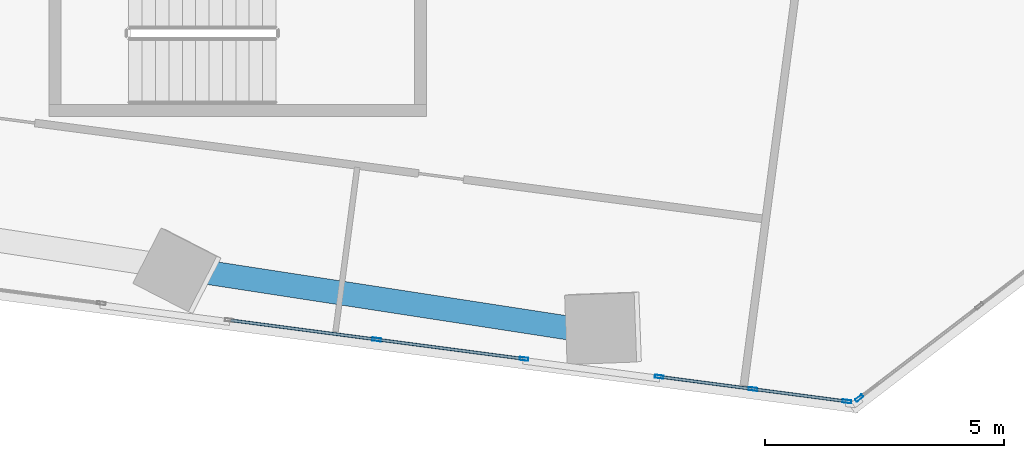
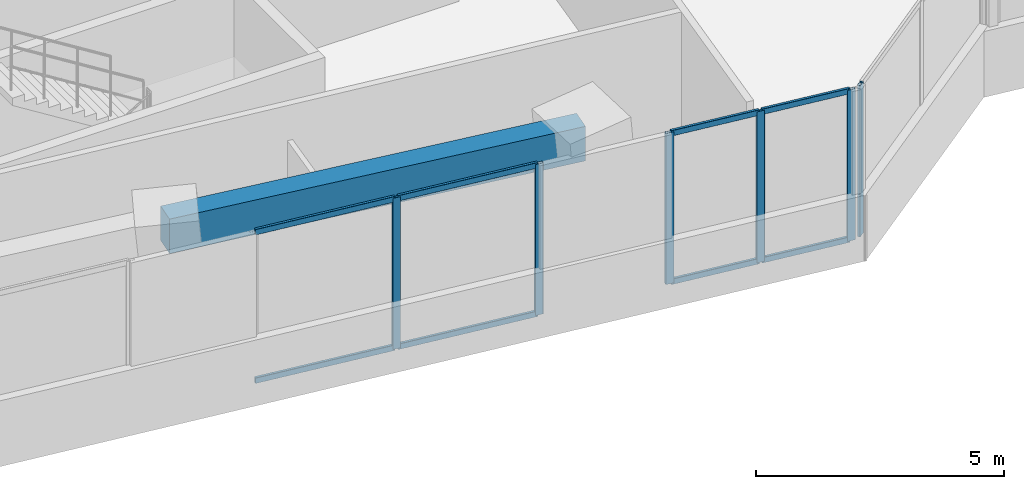
# One storey, part 5 of 24: 14 members, 1 beam, 3 elements without a shape of their own.
"""IFC4 building model written with IfcOpenShell, lengths in metres."""

import ifcopenshell
import ifcopenshell.guid

model = None  # the IFC model being written
_history = None  # IfcOwnerHistory: only IFC2X3 demands one
_inside = {}  # id of a spatial element -> (the spatial element, [elements in it])
_under = {}  # id of a project, library or spatial element -> (it, [spatial elements below it])
_declared = {}  # id of a project -> (the project, [libraries it declares])
_typed = {}  # id of a type object -> (the type object, [elements of that type])
_made_of = {}  # id of a material, layer set ... -> (it, [elements and type objects made of it])


def new_model(schema):
    """Start an empty IFC model of exactly this schema.

    Asked for "IFC4X3", IfcOpenShell would pick the latest addendum, in which some entities
    have other attributes; the version numbers below select the first issue.
    IFC2X3 requires an IfcOwnerHistory on every rooted entity: one is made here for all.
    """
    global model, _history
    if schema == "IFC4X3":
        model = ifcopenshell.file(schema_version=(4, 3, 0, 0))
    else:
        model = ifcopenshell.file(schema=schema)
    _inside.clear()
    _under.clear()
    _declared.clear()
    _typed.clear()
    _made_of.clear()
    _history = None
    if model.schema == "IFC2X3":
        org = make("IfcOrganization", Name="unknown")
        user = make(
            "IfcPersonAndOrganization",
            ThePerson=make("IfcPerson", FamilyName="unknown"),
            TheOrganization=org,
        )
        app = make(
            "IfcApplication",
            ApplicationDeveloper=org,
            Version="unknown",
            ApplicationFullName="unknown",
            ApplicationIdentifier="unknown",
        )
        _history = make(
            "IfcOwnerHistory",
            OwningUser=user,
            OwningApplication=app,
            ChangeAction="ADDED",
            CreationDate=0,
        )
    return model


def make(cls, **values):
    """One entity of the class cls with the attributes given. An attribute that is None is left unset."""
    return model.create_entity(
        cls, **{name: value for name, value in values.items() if value is not None}
    )


def rooted(cls, **values):
    """An entity with a GlobalId (a new one), such as an element, a storey or a relation."""
    return make(cls, GlobalId=ifcopenshell.guid.new(), OwnerHistory=_history, **values)


def si_unit(unit_type, name, prefix=None):
    """IfcSIUnit, for example si_unit("LENGTHUNIT", "METRE", prefix="MILLI")."""
    return make("IfcSIUnit", UnitType=unit_type, Prefix=prefix, Name=name)


def assignment(units):
    """IfcUnitAssignment: the units of a project."""
    return None if units is None else make("IfcUnitAssignment", Units=units)


def point(xyz):
    """IfcCartesianPoint."""
    return None if xyz is None else make("IfcCartesianPoint", Coordinates=xyz)


def direction(xyz):
    """IfcDirection."""
    return None if xyz is None else make("IfcDirection", DirectionRatios=xyz)


def frame(location, z_axis=None, x_axis=None):
    """IfcAxis2Placement3D, a coordinate frame: its origin and axes. An axis left out is left unset."""
    return make(
        "IfcAxis2Placement3D",
        Location=point(location),
        Axis=direction(z_axis),
        RefDirection=direction(x_axis),
    )


def frame_2d(location, x_axis=None):
    """IfcAxis2Placement2D, a coordinate frame in the plane: its origin and x axis."""
    return make(
        "IfcAxis2Placement2D", Location=point(location), RefDirection=direction(x_axis)
    )


def origin():
    """The frame at (0, 0, 0) with its axes left unset."""
    return frame((0.0, 0.0, 0.0))


def origin_2d():
    """The frame at (0, 0) in the plane with its x axis left unset."""
    return frame_2d((0.0, 0.0))


def place(relative_to, where):
    """IfcLocalPlacement: puts the frame where relative to a parent placement (None: the world)."""
    return make(
        "IfcLocalPlacement", PlacementRelTo=relative_to, RelativePlacement=where
    )


def context(
    kind, dimensions, precision=None, world=None, true_north=None, identifier=None
):
    """IfcGeometricRepresentationContext, for example the 3D "Model" context."""
    return make(
        "IfcGeometricRepresentationContext",
        ContextIdentifier=identifier,
        ContextType=kind,
        CoordinateSpaceDimension=dimensions,
        Precision=precision,
        WorldCoordinateSystem=world,
        TrueNorth=true_north,
    )


def subcontext(parent, identifier, kind, view, scale=None):
    """IfcGeometricRepresentationSubContext, for example "Body" below "Model"."""
    return make(
        "IfcGeometricRepresentationSubContext",
        ContextIdentifier=identifier,
        ContextType=kind,
        ParentContext=parent,
        TargetScale=scale,
        TargetView=view,
    )


def project(units=None, contexts=None):
    """IfcProject with its units and contexts."""
    return rooted(
        "IfcProject",
        Name="project",
        RepresentationContexts=contexts,
        UnitsInContext=assignment(units),
    )


def spatial(cls, under=None, at=None, **own):
    """A site, building, storey or space (cls), placed at a placement, below another one or the project."""
    s = rooted(cls, ObjectPlacement=at, **own)
    if under is not None:
        _under.setdefault(under.id(), (under, []))[1].append(s)
    return s


def profile(cls, at=None, kind="AREA", **sizes):
    """A parametric profile (cls). Its sizes go by their IFC names, for example OverallWidth=200.0."""
    return make(cls, ProfileType=kind, Position=at, **sizes)


def rectangle(**sizes):
    """IfcRectangleProfileDef."""
    return profile("IfcRectangleProfileDef", **sizes)


def hollow_rectangle(**sizes):
    """IfcRectangleHollowProfileDef."""
    return profile("IfcRectangleHollowProfileDef", **sizes)


def extrude(swept, where, along, depth):
    """IfcExtrudedAreaSolid: the profile swept, set in the frame where, extruded along a direction by depth."""
    return make(
        "IfcExtrudedAreaSolid",
        SweptArea=swept,
        Position=where,
        ExtrudedDirection=direction(along),
        Depth=depth,
    )


def shape(context_of_items, identifier, shape_type, items):
    """IfcShapeRepresentation: the items that make up one representation, for example the "Body"."""
    return make(
        "IfcShapeRepresentation",
        ContextOfItems=context_of_items,
        RepresentationIdentifier=identifier,
        RepresentationType=shape_type,
        Items=items,
    )


def source(mapping_origin, context_of_items, identifier, shape_type, items):
    """IfcRepresentationMap: a shape defined once, which mapped items show again and again."""
    return make(
        "IfcRepresentationMap",
        MappingOrigin=mapping_origin,
        MappedRepresentation=shape(context_of_items, identifier, shape_type, items),
    )


def transform(
    local_origin,
    x_axis=None,
    y_axis=None,
    z_axis=None,
    scale=None,
    scale2=None,
    scale3=None,
    uniform=True,
):
    """IfcCartesianTransformationOperator3D, or its non-uniform kind. x_axis, y_axis, z_axis: its Axis1, 2, 3."""
    if uniform:
        return make(
            "IfcCartesianTransformationOperator3D",
            Axis1=direction(x_axis),
            Axis2=direction(y_axis),
            LocalOrigin=point(local_origin),
            Scale=scale,
            Axis3=direction(z_axis),
        )
    return make(
        "IfcCartesianTransformationOperator3DnonUniform",
        Axis1=direction(x_axis),
        Axis2=direction(y_axis),
        LocalOrigin=point(local_origin),
        Scale=scale,
        Axis3=direction(z_axis),
        Scale2=scale2,
        Scale3=scale3,
    )


def mapped(mapping_source, mapping_target):
    """IfcMappedItem: shows the shape of a source again, moved by a transform."""
    return make(
        "IfcMappedItem", MappingSource=mapping_source, MappingTarget=mapping_target
    )


def material(Name=None, Category=None):
    """IfcMaterial."""
    return make("IfcMaterial", Name=Name, Category=Category)


def material_profile(
    of_material, cross_section, Name=None, Category=None, Priority=None
):
    """IfcMaterialProfile: a cross section and its material."""
    return make(
        "IfcMaterialProfile",
        Name=Name,
        Material=of_material,
        Profile=cross_section,
        Priority=Priority,
        Category=Category,
    )


def profile_set(profiles, Name=None, composite=None):
    """IfcMaterialProfileSet."""
    return make(
        "IfcMaterialProfileSet",
        Name=Name,
        MaterialProfiles=profiles,
        CompositeProfile=composite,
    )


def made_of(thing, what):
    """Note that an element or type object is made of a material, layer set ...; save() writes the relation."""
    if what is not None:
        _made_of.setdefault(what.id(), (what, []))[1].append(thing)
    return thing


def type_object(cls, material=None, **own):
    """A type object (cls), such as IfcWallType, which elements share."""
    return made_of(rooted(cls, **own), material)


def element(
    cls,
    number,
    at=None,
    inside=None,
    cuts=None,
    type_object=None,
    material=None,
    context=None,
    identifier="Body",
    shape_type=None,
    held_by="IfcProductDefinitionShape",
    body=None,
    shapes=None,
    **own,
):
    """One element of the class cls, such as IfcWall. Its Tag is "e" and its number.

    at: its placement. inside: the storey or other place that contains it. cuts: it is an
    opening in that element (IfcRelVoidsElement). A single representation is given by context,
    identifier, shape_type and body (its items); several are given by shapes. held_by: the class
    of the entity that holds the representations. save() writes the other relations.
    """
    e = rooted(cls, Tag="e%d" % number, ObjectPlacement=at, **own)
    if body is not None:
        shapes = [shape(context, identifier, shape_type, body)]
    if shapes is not None:
        e.Representation = make(held_by, Representations=shapes)
    if inside is not None:
        _inside.setdefault(inside.id(), (inside, []))[1].append(e)
    if cuts is not None:
        rooted(
            "IfcRelVoidsElement", RelatingBuildingElement=cuts, RelatedOpeningElement=e
        )
    if type_object is not None:
        _typed.setdefault(type_object.id(), (type_object, []))[1].append(e)
    return made_of(e, material)


def aggregate(whole, parts):
    """IfcRelAggregates: a whole, such as a stair, and the parts it consists of."""
    return rooted("IfcRelAggregates", RelatingObject=whole, RelatedObjects=parts)


def save(model, path):
    """Write the relations noted so far, then the file.

    IfcRelAggregates (storeys below a building ...), IfcRelContainedInSpatialStructure (elements
    in a storey), IfcRelDefinesByType, IfcRelAssociatesMaterial and IfcRelDeclares: one each for
    every whole, place, type object, material and project.
    """
    for whole, parts in _under.values():
        aggregate(whole, parts)
    for where, things in _inside.values():
        rooted(
            "IfcRelContainedInSpatialStructure",
            RelatedElements=things,
            RelatingStructure=where,
        )
    for kind, things in _typed.values():
        rooted("IfcRelDefinesByType", RelatedObjects=things, RelatingType=kind)
    for what, things in _made_of.values():
        rooted("IfcRelAssociatesMaterial", RelatedObjects=things, RelatingMaterial=what)
    for by, libraries in _declared.values():
        rooted("IfcRelDeclares", RelatingContext=by, RelatedDefinitions=libraries)
    model.write(path)


model = new_model("IFC4")

# Units and contexts
model_context = context("Model", 3, precision=1e-05, world=origin(), true_north=direction((0.0, 1.0)))
body_context = subcontext(model_context, "Body", "Model", "MODEL_VIEW")
ifc_project = project(units=[si_unit("LENGTHUNIT", "METRE"), si_unit("AREAUNIT", "SQUARE_METRE"), si_unit("VOLUMEUNIT", "CUBIC_METRE"), si_unit("PLANEANGLEUNIT", "RADIAN"), si_unit("MASSUNIT", "GRAM", prefix="KILO")], contexts=[model_context])

# Site, building, storey
site_placement = place(None, origin())
site = spatial("IfcSite", under=ifc_project, at=site_placement, CompositionType="ELEMENT")
building_placement = place(site_placement, origin())
building = spatial("IfcBuilding", under=site, at=building_placement, Name="Torre Montelarca", CompositionType="ELEMENT")
storey_placement = place(building_placement, frame((0.0, 0.0, 66.39990234375)))
storey = spatial("IfcBuildingStorey", under=building, at=storey_placement, Name="L14", CompositionType="ELEMENT", Elevation=66.39990234375)

# Beam
ifc_material_1 = material(Name="Concrete C55/67", Category="concrete")
ifc_material_profile_1 = material_profile(ifc_material_1, rectangle(XDim=0.5, YDim=0.85009765625, at=origin_2d()), Name="RCB500X850", Category="concrete")
ifc_profile_set_1 = profile_set([ifc_material_profile_1], Name="Concrete C55/67")
beam_type = type_object("IfcBeamType", Name="BM-SP-RC850-EXT", PredefinedType="SPANDREL", material=ifc_profile_set_1)
shared_shape_1 = source(origin(), body_context, "Body", "SweptSolid", [
    extrude(rectangle(XDim=0.5, YDim=0.85009765625, at=origin_2d()), origin(), (0.0, 0.0, 1.0), 9.0),
])
beam_placement = place(storey_placement, frame((15.42431640625, 15.53271484375, 3.53515625), z_axis=(0.988361032706, -0.152126490227, 0.0), x_axis=(0.152126490227, 0.988361032706, 0.0)))
element("IfcBeam", 1, at=beam_placement, inside=storey, type_object=beam_type, Name="L14 Grid Girder X 18.0-27.0 at Y=14.8", PredefinedType="SPANDREL", context=body_context, shape_type="MappedRepresentation", body=[
    mapped(shared_shape_1, transform((0.0, 0.0, 0.0), scale=1.0)),
])

# Curtain wall, members
ifc_material_2 = material(Name="Insulated low-E laminated glass", Category="glass")
curtain_wall_type = type_object("IfcCurtainWallType", Name="CW-SYS-Z1", PredefinedType="USERDEFINED", material=ifc_material_2)
curtain_wall_1_placement = place(storey_placement, origin())
curtain_wall_1 = element("IfcCurtainWall", 2, at=curtain_wall_1_placement, inside=storey, type_object=curtain_wall_type, Name="L14 Curtain Wall Run CW-T3-L14-E01-B3", ObjectType="UNITISED GLAZING", PredefinedType="USERDEFINED")
ifc_material_3 = material(Name="Anodised aluminium AA 6063-T6", Category="aluminium")
ifc_material_profile_2 = material_profile(ifc_material_3, hollow_rectangle(XDim=0.06494140625, YDim=0.139892578125, WallThickness=0.00390625, InnerFilletRadius=0.00390625, OuterFilletRadius=0.008056640625, at=origin_2d()), Name="ALU65X140X4", Category="aluminium")
ifc_profile_set_2 = profile_set([ifc_material_profile_2], Name="Anodised aluminium AA 6063-T6")
member_type_1 = type_object("IfcMemberType", Name="CWT-ALU140", PredefinedType="USERDEFINED", material=ifc_profile_set_2)
shared_shape_2 = source(origin(), body_context, "Body", "SweptSolid", [
    extrude(hollow_rectangle(XDim=0.06494140625, YDim=0.139892578125, WallThickness=0.00390625, InnerFilletRadius=0.00390625, OuterFilletRadius=0.008056640625, at=origin_2d()), origin(), (0.0, 0.0, 1.0), 1.9169921875),
])
member_1_placement = place(storey_placement, frame((25.853515625, 13.200927734375, 0.03271484375), z_axis=(0.991443455409, -0.130536871136, 0.0), x_axis=(0.130536871136, 0.991443455409, 0.0)))
member_1 = element("IfcMember", 3, at=member_1_placement, type_object=member_type_1, Name="CW transom 1.1", ObjectType="TRANSOM", PredefinedType="USERDEFINED", context=body_context, shape_type="MappedRepresentation", body=[
    mapped(shared_shape_2, transform((0.0, 0.0, 0.0), scale=1.0)),
])
member_2_placement = place(storey_placement, frame((25.853515625, 13.200927734375, 3.6875), z_axis=(0.991443455409, -0.130536871136, 0.0), x_axis=(0.130536871136, 0.991443455409, 0.0)))
member_2 = element("IfcMember", 4, at=member_2_placement, type_object=member_type_1, Name="CW transom 1.2", ObjectType="TRANSOM", PredefinedType="USERDEFINED", context=body_context, shape_type="MappedRepresentation", body=[
    mapped(shared_shape_2, transform((0.0, 0.0, 0.0), scale=1.0)),
])
member_3_placement = place(storey_placement, frame((27.818603515625, 12.9423828125, 0.03271484375), z_axis=(0.991443455409, -0.130536871136, 0.0), x_axis=(0.130536871136, 0.991443455409, 0.0)))
member_3 = element("IfcMember", 5, at=member_3_placement, type_object=member_type_1, Name="CW transom 2.1", ObjectType="TRANSOM", PredefinedType="USERDEFINED", context=body_context, shape_type="MappedRepresentation", body=[
    mapped(shared_shape_2, transform((0.0, 0.0, 0.0), scale=1.0)),
])
member_4_placement = place(storey_placement, frame((27.818603515625, 12.9423828125, 3.6875), z_axis=(0.991443455409, -0.130536871136, 0.0), x_axis=(0.130536871136, 0.991443455409, 0.0)))
member_4 = element("IfcMember", 6, at=member_4_placement, type_object=member_type_1, Name="CW transom 2.2", ObjectType="TRANSOM", PredefinedType="USERDEFINED", context=body_context, shape_type="MappedRepresentation", body=[
    mapped(shared_shape_2, transform((0.0, 0.0, 0.0), scale=1.0)),
])

curtain_wall_2_placement = place(storey_placement, origin())
curtain_wall_2 = element("IfcCurtainWall", 7, at=curtain_wall_2_placement, inside=storey, type_object=curtain_wall_type, Name="L14 Curtain Wall Run CW-T3-L14-E01-B2", ObjectType="UNITISED GLAZING", PredefinedType="USERDEFINED")
shared_shape_3 = source(origin(), body_context, "Body", "SweptSolid", [
    extrude(hollow_rectangle(XDim=0.06494140625, YDim=0.139892578125, WallThickness=0.00390625, InnerFilletRadius=0.00390625, OuterFilletRadius=0.008056640625, at=origin_2d()), origin(), (0.0, 0.0, 1.0), 3.046875),
])
member_5_placement = place(storey_placement, frame((19.941162109375, 13.979248046875, 0.03271484375), z_axis=(0.991454568279, -0.130452439761, 0.0), x_axis=(0.130452439761, 0.991454568279, 0.0)))
member_5 = element("IfcMember", 8, at=member_5_placement, type_object=member_type_1, Name="CW transom 2.1", ObjectType="TRANSOM", PredefinedType="USERDEFINED", context=body_context, shape_type="MappedRepresentation", body=[
    mapped(shared_shape_3, transform((0.0, 0.0, 0.0), scale=1.0)),
])
member_6_placement = place(storey_placement, frame((19.941162109375, 13.979248046875, 3.6875), z_axis=(0.991454568279, -0.130452439761, 0.0), x_axis=(0.130452439761, 0.991454568279, 0.0)))
member_6 = element("IfcMember", 9, at=member_6_placement, type_object=member_type_1, Name="CW transom 2.2", ObjectType="TRANSOM", PredefinedType="USERDEFINED", context=body_context, shape_type="MappedRepresentation", body=[
    mapped(shared_shape_3, transform((0.0, 0.0, 0.0), scale=1.0)),
])
shared_shape_4 = source(origin(), body_context, "Body", "SweptSolid", [
    extrude(hollow_rectangle(XDim=0.06494140625, YDim=0.139892578125, WallThickness=0.00390625, InnerFilletRadius=0.00390625, OuterFilletRadius=0.008056640625, at=origin_2d()), origin(), (0.0, 0.0, 1.0), 3.046630859375),
])
member_7_placement = place(storey_placement, frame((16.856201171875, 14.385498046875, 0.03271484375), z_axis=(0.991442835924, -0.130541576117, 0.0), x_axis=(0.130541576117, 0.991442835924, 0.0)))
member_7 = element("IfcMember", 10, at=member_7_placement, type_object=member_type_1, Name="CW transom 1.1", ObjectType="TRANSOM", PredefinedType="USERDEFINED", context=body_context, shape_type="MappedRepresentation", body=[
    mapped(shared_shape_4, transform((0.0, 0.0, 0.0), scale=1.0)),
])
member_8_placement = place(storey_placement, frame((16.856201171875, 14.385498046875, 3.6875), z_axis=(0.991442835924, -0.130541576117, 0.0), x_axis=(0.130541576117, 0.991442835924, 0.0)))
member_8 = element("IfcMember", 11, at=member_8_placement, type_object=member_type_1, Name="CW transom 1.2", ObjectType="TRANSOM", PredefinedType="USERDEFINED", context=body_context, shape_type="MappedRepresentation", body=[
    mapped(shared_shape_4, transform((0.0, 0.0, 0.0), scale=1.0)),
])
ifc_material_profile_3 = material_profile(ifc_material_3, hollow_rectangle(XDim=0.06494140625, YDim=0.179931640625, WallThickness=0.00390625, InnerFilletRadius=0.00390625, OuterFilletRadius=0.008056640625, at=origin_2d()), Name="ALU65X180X4", Category="aluminium")
ifc_profile_set_3 = profile_set([ifc_material_profile_3], Name="Anodised aluminium AA 6063-T6")
member_type_2 = type_object("IfcMemberType", Name="CWM-ALU180", PredefinedType="MULLION", material=ifc_profile_set_3)
shared_shape_5 = source(origin(), body_context, "Body", "SweptSolid", [
    extrude(hollow_rectangle(XDim=0.06494140625, YDim=0.179931640625, WallThickness=0.00390625, InnerFilletRadius=0.00390625, OuterFilletRadius=0.008056640625, at=origin_2d()), origin(), (0.0, 0.0, 1.0), 3.72021484375),
])
member_9_placement = place(storey_placement, frame((19.908935546875, 13.983642578125, 0.0), z_axis=(0.0, 0.0, 1.0), x_axis=(0.130508399765, 0.991447203633, 0.0)))
member_9 = element("IfcMember", 12, at=member_9_placement, type_object=member_type_2, Name="CW mullion 2", PredefinedType="MULLION", context=body_context, shape_type="MappedRepresentation", body=[
    mapped(shared_shape_5, transform((0.0, 0.0, 0.0), scale=1.0)),
])
member_10_placement = place(storey_placement, frame((22.994140625, 13.577392578125, 0.0), z_axis=(0.0, 0.0, 1.0), x_axis=(0.130508399765, 0.991447203633, 0.0)))
member_10 = element("IfcMember", 13, at=member_10_placement, type_object=member_type_2, Name="CW mullion 3", PredefinedType="MULLION", context=body_context, shape_type="MappedRepresentation", body=[
    mapped(shared_shape_5, transform((0.0, 0.0, 0.0), scale=1.0)),
])
aggregate(curtain_wall_2, [member_9, member_10, member_7, member_8, member_5, member_6])

# Member
member_11_placement = place(storey_placement, frame((25.8212890625, 13.205322265625, 0.0), z_axis=(0.0, 0.0, 1.0), x_axis=(0.13051999639, 0.991445677051, 0.0)))
member_11 = element("IfcMember", 14, at=member_11_placement, type_object=member_type_2, Name="CW mullion 1", PredefinedType="MULLION", context=body_context, shape_type="MappedRepresentation", body=[
    mapped(shared_shape_5, transform((0.0, 0.0, 0.0), scale=1.0)),
])

member_12_placement = place(storey_placement, frame((27.786376953125, 12.946533203125, 0.0), z_axis=(0.0, 0.0, 1.0), x_axis=(0.13051999639, 0.991445677051, 0.0)))
member_12 = element("IfcMember", 15, at=member_12_placement, type_object=member_type_2, Name="CW mullion 2", PredefinedType="MULLION", context=body_context, shape_type="MappedRepresentation", body=[
    mapped(shared_shape_5, transform((0.0, 0.0, 0.0), scale=1.0)),
])

member_13_placement = place(storey_placement, frame((29.75146484375, 12.687744140625, 0.0), z_axis=(0.0, 0.0, 1.0), x_axis=(0.13051999639, 0.991445677051, 0.0)))
member_13 = element("IfcMember", 16, at=member_13_placement, type_object=member_type_2, Name="CW mullion 3", PredefinedType="MULLION", context=body_context, shape_type="MappedRepresentation", body=[
    mapped(shared_shape_5, transform((0.0, 0.0, 0.0), scale=1.0)),
])

aggregate(curtain_wall_1, [member_11, member_12, member_13, member_1, member_2, member_3, member_4])

# Curtain wall, member
curtain_wall_3_placement = place(storey_placement, origin())
curtain_wall_3 = element("IfcCurtainWall", 17, at=curtain_wall_3_placement, inside=storey, type_object=curtain_wall_type, Name="L14 Curtain Wall Run CW-T3-L14-E02-B1", ObjectType="UNITISED GLAZING", PredefinedType="USERDEFINED")
member_14_placement = place(storey_placement, frame((30.00927734375, 12.7568359375, 0.0), z_axis=(0.0, 0.0, 1.0), x_axis=(-0.608756578814, 0.793357061953, 0.0)))
member_14 = element("IfcMember", 18, at=member_14_placement, type_object=member_type_2, Name="CW mullion 1", PredefinedType="MULLION", context=body_context, shape_type="MappedRepresentation", body=[
    mapped(shared_shape_5, transform((0.0, 0.0, 0.0), scale=1.0)),
])
aggregate(curtain_wall_3, [member_14])

save(model, "model.ifc")
